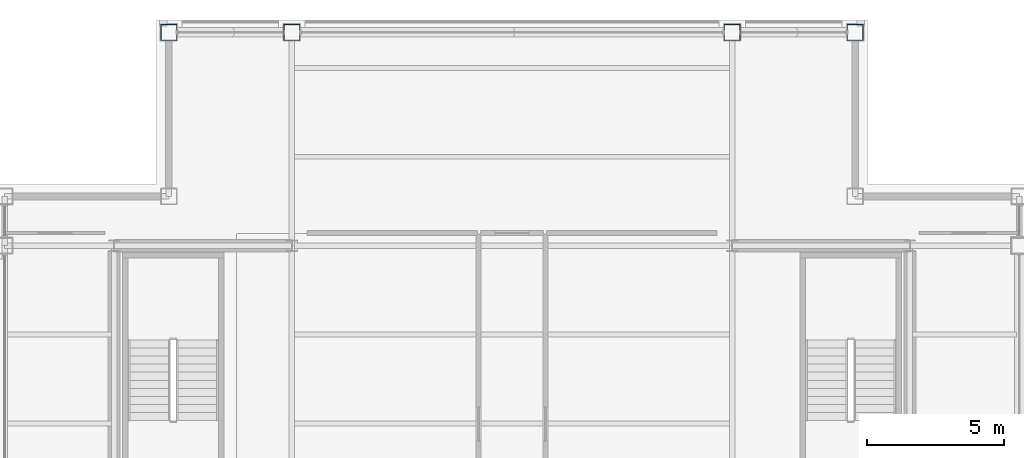
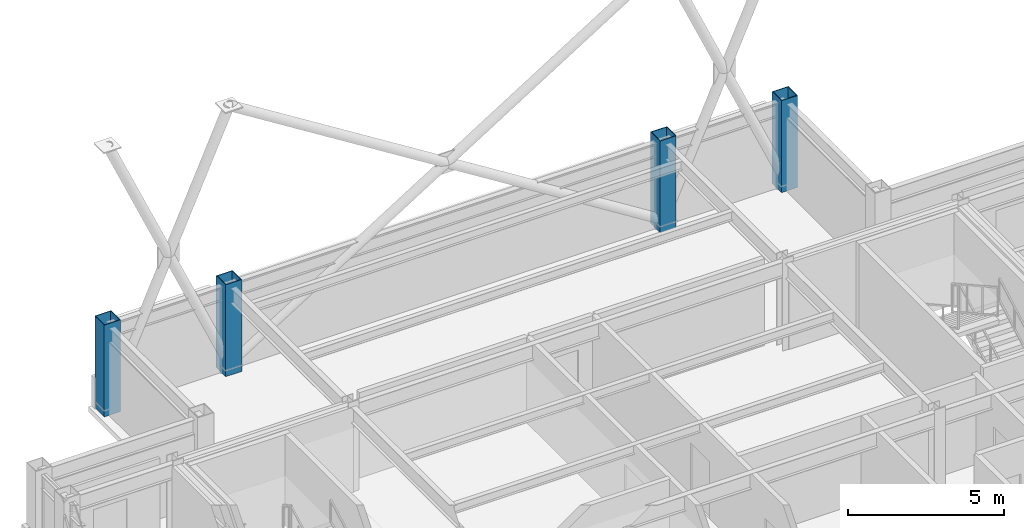
# One storey, part 2 of 27: 4 columns.
"""IFC4 building model written with IfcOpenShell, lengths in metres."""

from ifc_helpers import new_model, si_unit, direction, frame, origin, origin_2d, place, context, subcontext, project, spatial, hollow_rectangle, extrude, material, material_profile, profile_set, type_object, element, save


model = new_model("IFC4")

# Units and contexts
model_context = context("Model", 3, precision=1e-05, world=origin(), true_north=direction((0.0, 1.0)))
body_context = subcontext(model_context, "Body", "Model", "MODEL_VIEW")
ifc_project = project(units=[si_unit("LENGTHUNIT", "METRE"), si_unit("AREAUNIT", "SQUARE_METRE"), si_unit("VOLUMEUNIT", "CUBIC_METRE"), si_unit("PLANEANGLEUNIT", "RADIAN"), si_unit("MASSUNIT", "GRAM", prefix="KILO")], contexts=[model_context])

# Site, building, storey
site_placement = place(None, origin())
site = spatial("IfcSite", under=ifc_project, at=site_placement, CompositionType="ELEMENT")
building_placement = place(site_placement, origin())
building = spatial("IfcBuilding", under=site, at=building_placement, Name="Brelmoor Portico Tower", CompositionType="ELEMENT")
storey_placement = place(building_placement, frame((0.0, 0.0, 258.0)))
storey = spatial("IfcBuildingStorey", under=building, at=storey_placement, Name="L68", CompositionType="ELEMENT", Elevation=258.0)

# Columns
ifc_material = material(Name="Steel Q355B", Category="steel")
ifc_material_profile = material_profile(ifc_material, hollow_rectangle(XDim=0.60009765625, YDim=0.60009765625, WallThickness=0.02490234375, at=origin_2d()), Name="BOX 600x600x25")
ifc_profile_set = profile_set([ifc_material_profile], Name="Steel Q355B")
column_type = type_object("IfcColumnType", Name="COL-MEGA-600", PredefinedType="COLUMN", material=ifc_profile_set)
for number, where, z_axis, x_axis, name in (
    (1, (-12.550048828125, 17.550048828125, 0.0), (0.0, 0.0, 1.0), (1.0, 0.0, 0.0), "L68 Perimeter Mega-Column PN01"),
    (2, (-8.050048828125, 17.550048828125, 0.0), (0.0, 0.0, 1.0), (1.0, 0.0, 0.0), "L68 Perimeter Mega-Column PN02"),
    (3, (8.050048828125, 17.550048828125, 0.0), (0.0, 0.0, 1.0), (1.0, 0.0, 0.0), "L68 Perimeter Mega-Column PN03"),
    (4, (12.550048828125, 17.550048828125, 0.0), (0.0, 0.0, 1.0), (1.0, 0.0, 0.0), "L68 Perimeter Mega-Column PN04"),
):
    element("IfcColumn", number, at=place(storey_placement, frame(where, z_axis=z_axis, x_axis=x_axis)), inside=storey, type_object=column_type, Name=name, PredefinedType="COLUMN", context=body_context, shape_type="SweptSolid", body=[
        extrude(hollow_rectangle(XDim=0.60009765625, YDim=0.60009765625, WallThickness=0.02490234375, at=origin_2d()), origin(), (0.0, 0.0, 1.0), 3.60009765625),
    ])

save(model, "model.ifc")
